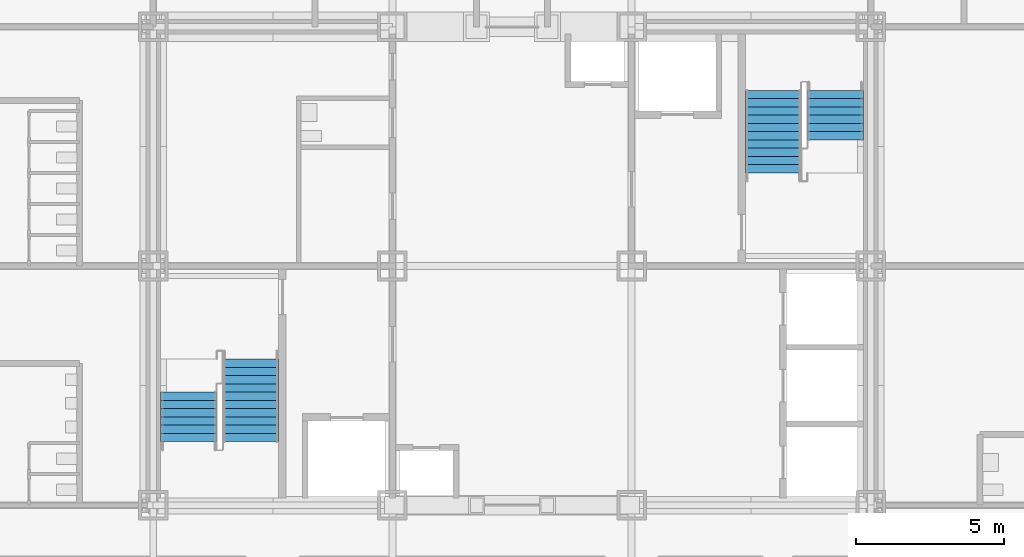
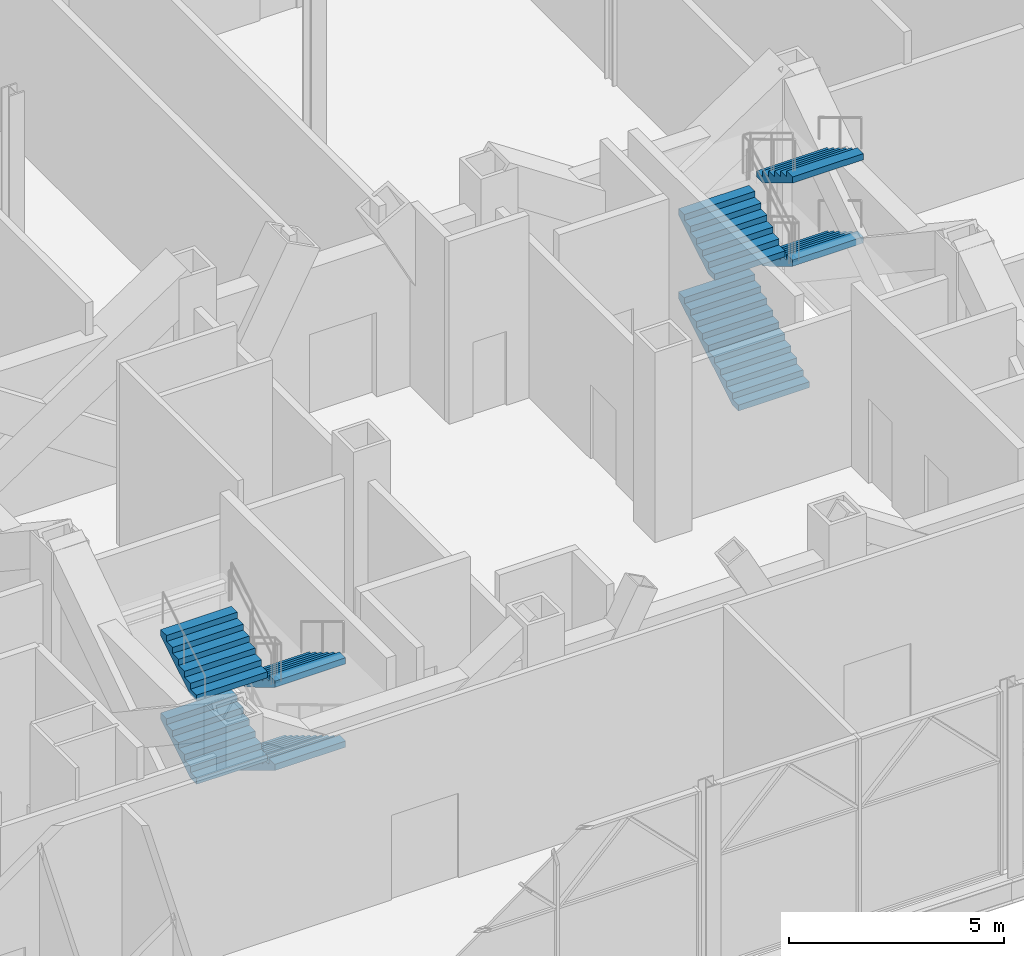
# One storey, part 24 of 26: 8 stair flights, 2 elements without a shape of their own.
"""IFC4 building model written with IfcOpenShell, lengths in metres."""

from ifc_helpers import new_model, si_unit, direction, frame, origin, place, context, subcontext, project, spatial, polygons, source, transform, mapped, material, type_object, element, aggregate, save


model = new_model("IFC4")

# Units and contexts
model_context = context("Model", 3, precision=1e-05, world=origin(), true_north=direction((0.0, 1.0)))
body_context = subcontext(model_context, "Body", "Model", "MODEL_VIEW")
ifc_project = project(units=[si_unit("LENGTHUNIT", "METRE"), si_unit("AREAUNIT", "SQUARE_METRE"), si_unit("VOLUMEUNIT", "CUBIC_METRE"), si_unit("PLANEANGLEUNIT", "RADIAN"), si_unit("MASSUNIT", "GRAM", prefix="KILO")], contexts=[model_context])

# Site, building, storey
site_placement = place(None, origin())
site = spatial("IfcSite", under=ifc_project, at=site_placement, CompositionType="ELEMENT")
building_placement = place(site_placement, origin())
building = spatial("IfcBuilding", under=site, at=building_placement, Name="Kopane Lantern Tower", CompositionType="ELEMENT")
storey_placement = place(building_placement, frame((0.0, 0.0, 293.10009765625)))
storey = spatial("IfcBuildingStorey", under=building, at=storey_placement, Name="L75", CompositionType="ELEMENT", Elevation=293.10009765625)

# Stair, stair flights
ifc_material_1 = material(Name="Steel S355JR", Category="steel")
stair_type = type_object("IfcStairType", Name="EXIT STAIR 1900 HALF TURN", PredefinedType="HALF_TURN_STAIR", material=ifc_material_1)
stair_1_placement = place(storey_placement, origin())
stair_1 = element("IfcStair", 1, at=stair_1_placement, inside=storey, type_object=stair_type, Name="Exit stair ST1 L75", PredefinedType="HALF_TURN_STAIR")
ifc_material_2 = material(Name="Steel S355JR", Category="steel")
stair_flight_type = type_object("IfcStairFlightType", Name="STAIR FLIGHT 1900 STEEL", PredefinedType="STRAIGHT", material=ifc_material_2)
shared_shape_1 = source(origin(), body_context, "Body", "Tessellation", [
    polygons([(1.679931641, 0.949951172, 1.012451172), (1.399902344, 0.949951172, 1.012451172), (1.399902344, -0.949951172, 1.012451172), (1.679931641, -0.949951172, 1.012451172), (0.290527344, 0.949951172, 0.0), (1.679931641, 0.949951172, 0.837402344), (1.679931641, -0.949951172, 0.837402344), (0.290527344, -0.949951172, 0.0), (0.0, 0.949951172, 0.0), (0.0, -0.949951172, 0.0), (0.280029297, 0.949951172, 0.168701172), (0.0, 0.949951172, 0.168701172), (0.0, -0.949951172, 0.168701172), (0.280029297, -0.949951172, 0.168701172), (0.280029297, 0.949951172, 0.337402344), (0.280029297, -0.949951172, 0.337402344), (0.560058594, 0.949951172, 0.337402344), (0.560058594, -0.949951172, 0.337402344), (0.560058594, 0.949951172, 0.506347656), (0.560058594, -0.949951172, 0.506347656), (0.840087891, 0.949951172, 0.506347656), (0.840087891, -0.949951172, 0.506347656), (0.840087891, 0.949951172, 0.675048828), (0.840087891, -0.949951172, 0.675048828), (1.120117188, 0.949951172, 0.675048828), (1.120117188, -0.949951172, 0.675048828), (1.120117188, 0.949951172, 0.84375), (1.120117188, -0.949951172, 0.84375), (1.399902344, 0.949951172, 0.84375), (1.399902344, -0.949951172, 0.84375), (0.0, 0.0, 0.004559491), (0.0, 0.0, 0.009118982), (0.0, 0.0, 0.013678473), (0.0, 0.0, 0.018237965), (0.0, 0.0, 0.022797456), (0.0, 0.0, 0.027356947), (0.0, 0.0, 0.031916438), (0.0, 0.0, 0.036475929), (0.0, 0.0, 0.04103542), (0.0, 0.0, 0.045594911), (0.0, 0.0, 0.050154402), (0.0, 0.0, 0.054713894), (0.0, 0.0, 0.059273385), (0.0, 0.0, 0.063832876), (0.0, 0.0, 0.068392367), (0.0, 0.0, 0.072951858), (0.0, 0.0, 0.077511349), (0.0, 0.0, 0.08207084), (0.0, 0.0, 0.086630332), (0.0, 0.0, 0.091189823), (0.0, 0.0, 0.095749314), (0.0, 0.0, 0.100308805), (0.0, 0.0, 0.104868296), (0.0, 0.0, 0.109427787), (0.0, 0.0, 0.113987278), (0.0, 0.0, 0.118546769), (0.0, 0.0, 0.123106261), (0.0, 0.0, 0.127665752), (0.0, 0.0, 0.132225243), (0.0, 0.0, 0.136784734), (0.0, 0.0, 0.141344225), (0.0, 0.0, 0.145903716), (0.0, 0.0, 0.150463207), (0.0, 0.0, 0.155022698), (0.0, 0.0, 0.15958219), (0.0, 0.0, 0.164141681), (1.679931641, 0.0, 0.842133393), (1.679931641, 0.0, 0.846864443), (1.679931641, 0.0, 0.851595492), (1.679931641, 0.0, 0.856326541), (1.679931641, 0.0, 0.861057591), (1.679931641, 0.0, 0.86578864), (1.679931641, 0.0, 0.87051969), (1.679931641, 0.0, 0.875250739), (1.679931641, 0.0, 0.879981788), (1.679931641, 0.0, 0.884712838), (1.679931641, 0.0, 0.889443887), (1.679931641, 0.0, 0.894174937), (1.679931641, 0.0, 0.898905986), (1.679931641, 0.0, 0.903637035), (1.679931641, 0.0, 0.908368085), (1.679931641, 0.0, 0.913099134), (1.679931641, 0.0, 0.917830184), (1.679931641, 0.0, 0.922561233), (1.679931641, 0.0, 0.927292283), (1.679931641, 0.0, 0.932023332), (1.679931641, 0.0, 0.936754381), (1.679931641, 0.0, 0.941485431), (1.679931641, 0.0, 0.94621648), (1.679931641, 0.0, 0.95094753), (1.679931641, 0.0, 0.955678579), (1.679931641, 0.0, 0.960409628), (1.679931641, 0.0, 0.965140678), (1.679931641, 0.0, 0.969871727), (1.679931641, 0.0, 0.974602777), (1.679931641, 0.0, 0.979333826), (1.679931641, 0.0, 0.984064875), (1.679931641, 0.0, 0.988795925), (1.679931641, 0.0, 0.993526974), (1.679931641, 0.0, 0.998258024), (1.679931641, 0.0, 1.002989073), (1.679931641, 0.0, 1.007720122)], [[[1, 2, 3]], [[1, 3, 4]], [[5, 6, 7]], [[5, 7, 8]], [[9, 5, 8]], [[9, 8, 10]], [[11, 12, 13]], [[11, 13, 14]], [[15, 11, 14]], [[15, 14, 16]], [[17, 15, 16]], [[17, 16, 18]], [[19, 17, 18]], [[19, 18, 20]], [[21, 19, 20]], [[21, 20, 22]], [[23, 21, 22]], [[23, 22, 24]], [[25, 23, 24]], [[25, 24, 26]], [[27, 25, 26]], [[27, 26, 28]], [[29, 27, 28]], [[29, 28, 30]], [[2, 29, 30]], [[2, 30, 3]], [[29, 1, 6]], [[25, 29, 6]], [[2, 1, 29]], [[21, 25, 6]], [[5, 21, 6]], [[27, 29, 25]], [[17, 21, 5]], [[23, 25, 21]], [[11, 17, 5]], [[19, 21, 17]], [[9, 11, 5]], [[15, 17, 11]], [[12, 11, 9]], [[7, 4, 30]], [[7, 30, 26]], [[30, 4, 3]], [[7, 26, 22]], [[7, 22, 8]], [[26, 30, 28]], [[8, 22, 18]], [[22, 26, 24]], [[8, 18, 14]], [[18, 22, 20]], [[8, 14, 10]], [[14, 18, 16]], [[10, 14, 13]], [[10, 31, 9]], [[10, 32, 31]], [[9, 31, 32]], [[10, 33, 32]], [[9, 32, 33]], [[10, 34, 33]], [[9, 33, 34]], [[10, 35, 34]], [[9, 34, 35]], [[10, 36, 35]], [[9, 35, 36]], [[10, 37, 36]], [[9, 36, 37]], [[10, 38, 37]], [[9, 37, 38]], [[10, 39, 38]], [[9, 38, 39]], [[10, 40, 39]], [[9, 39, 40]], [[10, 41, 40]], [[9, 40, 41]], [[10, 42, 41]], [[9, 41, 42]], [[10, 43, 42]], [[9, 42, 43]], [[10, 44, 43]], [[9, 43, 44]], [[10, 45, 44]], [[9, 44, 45]], [[10, 46, 45]], [[9, 45, 46]], [[10, 47, 46]], [[9, 46, 47]], [[10, 48, 47]], [[9, 47, 48]], [[10, 49, 48]], [[9, 48, 49]], [[10, 50, 49]], [[9, 49, 50]], [[10, 51, 50]], [[9, 50, 51]], [[10, 52, 51]], [[9, 51, 52]], [[10, 53, 52]], [[9, 52, 53]], [[10, 54, 53]], [[9, 53, 54]], [[10, 55, 54]], [[9, 54, 55]], [[10, 56, 55]], [[9, 55, 56]], [[10, 57, 56]], [[9, 56, 57]], [[10, 58, 57]], [[9, 57, 58]], [[10, 59, 58]], [[9, 58, 59]], [[10, 60, 59]], [[9, 59, 60]], [[10, 61, 60]], [[9, 60, 61]], [[10, 62, 61]], [[9, 61, 62]], [[10, 63, 62]], [[9, 62, 63]], [[10, 64, 63]], [[9, 63, 64]], [[10, 65, 64]], [[9, 64, 65]], [[10, 66, 65]], [[9, 65, 66]], [[10, 13, 66]], [[66, 13, 12]], [[9, 66, 12]], [[7, 6, 67]], [[7, 67, 68]], [[6, 68, 67]], [[7, 68, 69]], [[6, 69, 68]], [[7, 69, 70]], [[6, 70, 69]], [[7, 70, 71]], [[6, 71, 70]], [[7, 71, 72]], [[6, 72, 71]], [[7, 72, 73]], [[6, 73, 72]], [[7, 73, 74]], [[6, 74, 73]], [[7, 74, 75]], [[6, 75, 74]], [[7, 75, 76]], [[6, 76, 75]], [[7, 76, 77]], [[6, 77, 76]], [[7, 77, 78]], [[6, 78, 77]], [[7, 78, 79]], [[6, 79, 78]], [[7, 79, 80]], [[6, 80, 79]], [[7, 80, 81]], [[6, 81, 80]], [[7, 81, 82]], [[6, 82, 81]], [[7, 82, 83]], [[6, 83, 82]], [[7, 83, 84]], [[6, 84, 83]], [[7, 84, 85]], [[6, 85, 84]], [[7, 85, 86]], [[6, 86, 85]], [[7, 86, 87]], [[6, 87, 86]], [[7, 87, 88]], [[6, 88, 87]], [[7, 88, 89]], [[6, 89, 88]], [[7, 89, 90]], [[6, 90, 89]], [[7, 90, 91]], [[6, 91, 90]], [[7, 91, 92]], [[6, 92, 91]], [[7, 92, 93]], [[6, 93, 92]], [[7, 93, 94]], [[6, 94, 93]], [[7, 94, 95]], [[6, 95, 94]], [[7, 95, 96]], [[6, 96, 95]], [[7, 96, 97]], [[6, 97, 96]], [[7, 97, 98]], [[6, 98, 97]], [[7, 98, 99]], [[6, 99, 98]], [[7, 99, 100]], [[6, 100, 99]], [[7, 100, 101]], [[6, 101, 100]], [[7, 101, 102]], [[6, 102, 101]], [[7, 102, 4]], [[102, 1, 4]], [[6, 1, 102]]], closed=True),
])
stair_flight_1_placement = place(storey_placement, frame((17.39990234375, 26.449951171875, 1.856201171875), z_axis=(0.0, 0.0, 1.0), x_axis=(0.0, 1.0, 0.0)))
stair_flight_1 = element("IfcStairFlight", 2, at=stair_flight_1_placement, type_object=stair_flight_type, Name="ST1 flight 2", NumberOfRisers=7, NumberOfTreads=6, PredefinedType="STRAIGHT", RiserHeight=0.16875, TreadLength=0.28, context=body_context, shape_type="MappedRepresentation", body=[
    mapped(shared_shape_1, transform((0.0, 0.0, 0.0))),
])
stair_flight_2_placement = place(storey_placement, frame((19.5, 28.1298828125, 3.037353515625), z_axis=(0.0, 0.0, 1.0), x_axis=(0.0, -1.0, 0.0)))
stair_flight_2 = element("IfcStairFlight", 3, at=stair_flight_2_placement, type_object=stair_flight_type, Name="ST1 flight 3", NumberOfRisers=7, NumberOfTreads=6, PredefinedType="STRAIGHT", RiserHeight=0.16875, TreadLength=0.28, context=body_context, shape_type="MappedRepresentation", body=[
    mapped(shared_shape_1, transform((0.0, 0.0, 0.0))),
])
stair_flight_3_placement = place(storey_placement, frame((17.39990234375, 26.449951171875, 4.218505859375), z_axis=(0.0, 0.0, 1.0), x_axis=(0.0, 1.0, 0.0)))
stair_flight_3 = element("IfcStairFlight", 4, at=stair_flight_3_placement, type_object=stair_flight_type, Name="ST1 flight 4", NumberOfRisers=7, NumberOfTreads=6, PredefinedType="STRAIGHT", RiserHeight=0.16875, TreadLength=0.28, context=body_context, shape_type="MappedRepresentation", body=[
    mapped(shared_shape_1, transform((0.0, 0.0, 0.0))),
])

stair_2_placement = place(storey_placement, origin())
stair_2 = element("IfcStair", 5, at=stair_2_placement, inside=storey, type_object=stair_type, Name="Exit stair ST2 L75", PredefinedType="HALF_TURN_STAIR")
stair_flight_4_placement = place(storey_placement, frame((39.300048828125, 38.35009765625, 1.856201171875), z_axis=(0.0, 0.0, 1.0), x_axis=(0.0, -1.0, 0.0)))
stair_flight_4 = element("IfcStairFlight", 6, at=stair_flight_4_placement, type_object=stair_flight_type, Name="ST2 flight 2", NumberOfRisers=7, NumberOfTreads=6, PredefinedType="STRAIGHT", RiserHeight=0.16875, TreadLength=0.28, context=body_context, shape_type="MappedRepresentation", body=[
    mapped(shared_shape_1, transform((0.0, 0.0, 0.0))),
])
stair_flight_5_placement = place(storey_placement, frame((37.199951171875, 36.669921875, 3.037353515625), z_axis=(0.0, 0.0, 1.0), x_axis=(0.0, 1.0, 0.0)))
stair_flight_5 = element("IfcStairFlight", 7, at=stair_flight_5_placement, type_object=stair_flight_type, Name="ST2 flight 3", NumberOfRisers=7, NumberOfTreads=6, PredefinedType="STRAIGHT", RiserHeight=0.16875, TreadLength=0.28, context=body_context, shape_type="MappedRepresentation", body=[
    mapped(shared_shape_1, transform((0.0, 0.0, 0.0))),
])
stair_flight_6_placement = place(storey_placement, frame((39.300048828125, 38.35009765625, 4.218505859375), z_axis=(0.0, 0.0, 1.0), x_axis=(0.0, -1.0, 0.0)))
stair_flight_6 = element("IfcStairFlight", 8, at=stair_flight_6_placement, type_object=stair_flight_type, Name="ST2 flight 4", NumberOfRisers=7, NumberOfTreads=6, PredefinedType="STRAIGHT", RiserHeight=0.16875, TreadLength=0.28, context=body_context, shape_type="MappedRepresentation", body=[
    mapped(shared_shape_1, transform((0.0, 0.0, 0.0))),
])

# Stair flight
shared_shape_2 = source(origin(), body_context, "Body", "Tessellation", [
    polygons([(2.800048828, 0.949951172, 1.6875), (2.520019531, 0.949951172, 1.6875), (2.520019531, -0.949951172, 1.6875), (2.800048828, -0.949951172, 1.6875), (0.290527344, 0.949951172, 0.0), (2.800048828, 0.949951172, 1.512451172), (2.800048828, -0.949951172, 1.512451172), (0.290527344, -0.949951172, 0.0), (0.0, 0.949951172, 0.0), (0.0, -0.949951172, 0.0), (0.280029297, 0.949951172, 0.168701172), (0.0, 0.949951172, 0.168701172), (0.0, -0.949951172, 0.168701172), (0.280029297, -0.949951172, 0.168701172), (0.280029297, 0.949951172, 0.337402344), (0.280029297, -0.949951172, 0.337402344), (0.560058594, 0.949951172, 0.337402344), (0.560058594, -0.949951172, 0.337402344), (0.560058594, 0.949951172, 0.506347656), (0.560058594, -0.949951172, 0.506347656), (0.840087891, 0.949951172, 0.506347656), (0.840087891, -0.949951172, 0.506347656), (0.840087891, 0.949951172, 0.675048828), (0.840087891, -0.949951172, 0.675048828), (1.120117188, 0.949951172, 0.675048828), (1.120117188, -0.949951172, 0.675048828), (1.120117188, 0.949951172, 0.84375), (1.120117188, -0.949951172, 0.84375), (1.399902344, 0.949951172, 0.84375), (1.399902344, -0.949951172, 0.84375), (1.399902344, 0.949951172, 1.012451172), (1.399902344, -0.949951172, 1.012451172), (1.679931641, 0.949951172, 1.012451172), (1.679931641, -0.949951172, 1.012451172), (1.679931641, 0.949951172, 1.181152344), (1.679931641, -0.949951172, 1.181152344), (1.959960938, 0.949951172, 1.181152344), (1.959960938, -0.949951172, 1.181152344), (1.959960938, 0.949951172, 1.350097656), (1.959960938, -0.949951172, 1.350097656), (2.239990234, 0.949951172, 1.350097656), (2.239990234, -0.949951172, 1.350097656), (2.239990234, 0.949951172, 1.518798828), (2.239990234, -0.949951172, 1.518798828), (2.520019531, 0.949951172, 1.518798828), (2.520019531, -0.949951172, 1.518798828), (0.0, 0.0, 0.004559491), (0.0, 0.0, 0.009118982), (0.0, 0.0, 0.013678473), (0.0, 0.0, 0.018237965), (0.0, 0.0, 0.022797456), (0.0, 0.0, 0.027356947), (0.0, 0.0, 0.031916438), (0.0, 0.0, 0.036475929), (0.0, 0.0, 0.04103542), (0.0, 0.0, 0.045594911), (0.0, 0.0, 0.050154402), (0.0, 0.0, 0.054713894), (0.0, 0.0, 0.059273385), (0.0, 0.0, 0.063832876), (0.0, 0.0, 0.068392367), (0.0, 0.0, 0.072951858), (0.0, 0.0, 0.077511349), (0.0, 0.0, 0.08207084), (0.0, 0.0, 0.086630332), (0.0, 0.0, 0.091189823), (0.0, 0.0, 0.095749314), (0.0, 0.0, 0.100308805), (0.0, 0.0, 0.104868296), (0.0, 0.0, 0.109427787), (0.0, 0.0, 0.113987278), (0.0, 0.0, 0.118546769), (0.0, 0.0, 0.123106261), (0.0, 0.0, 0.127665752), (0.0, 0.0, 0.132225243), (0.0, 0.0, 0.136784734), (0.0, 0.0, 0.141344225), (0.0, 0.0, 0.145903716), (0.0, 0.0, 0.150463207), (0.0, 0.0, 0.155022698), (0.0, 0.0, 0.15958219), (0.0, 0.0, 0.164141681), (2.800048828, 0.0, 1.517182221), (2.800048828, 0.0, 1.521913271), (2.800048828, 0.0, 1.52664432), (2.800048828, 0.0, 1.53137537), (2.800048828, 0.0, 1.536106419), (2.800048828, 0.0, 1.540837468), (2.800048828, 0.0, 1.545568518), (2.800048828, 0.0, 1.550299567), (2.800048828, 0.0, 1.555030617), (2.800048828, 0.0, 1.559761666), (2.800048828, 0.0, 1.564492715), (2.800048828, 0.0, 1.569223765), (2.800048828, 0.0, 1.573954814), (2.800048828, 0.0, 1.578685864), (2.800048828, 0.0, 1.583416913), (2.800048828, 0.0, 1.588147962), (2.800048828, 0.0, 1.592879012), (2.800048828, 0.0, 1.597610061), (2.800048828, 0.0, 1.602341111), (2.800048828, 0.0, 1.60707216), (2.800048828, 0.0, 1.611803209), (2.800048828, 0.0, 1.616534259), (2.800048828, 0.0, 1.621265308), (2.800048828, 0.0, 1.625996358), (2.800048828, 0.0, 1.630727407), (2.800048828, 0.0, 1.635458457), (2.800048828, 0.0, 1.640189506), (2.800048828, 0.0, 1.644920555), (2.800048828, 0.0, 1.649651605), (2.800048828, 0.0, 1.654382654), (2.800048828, 0.0, 1.659113704), (2.800048828, 0.0, 1.663844753), (2.800048828, 0.0, 1.668575802), (2.800048828, 0.0, 1.673306852), (2.800048828, 0.0, 1.678037901), (2.800048828, 0.0, 1.682768951)], [[[1, 2, 3]], [[1, 3, 4]], [[5, 6, 7]], [[5, 7, 8]], [[9, 5, 8]], [[9, 8, 10]], [[11, 12, 13]], [[11, 13, 14]], [[15, 11, 14]], [[15, 14, 16]], [[17, 15, 16]], [[17, 16, 18]], [[19, 17, 18]], [[19, 18, 20]], [[21, 19, 20]], [[21, 20, 22]], [[23, 21, 22]], [[23, 22, 24]], [[25, 23, 24]], [[25, 24, 26]], [[27, 25, 26]], [[27, 26, 28]], [[29, 27, 28]], [[29, 28, 30]], [[31, 29, 30]], [[31, 30, 32]], [[33, 31, 32]], [[33, 32, 34]], [[35, 33, 34]], [[35, 34, 36]], [[37, 35, 36]], [[37, 36, 38]], [[39, 37, 38]], [[39, 38, 40]], [[41, 39, 40]], [[41, 40, 42]], [[43, 41, 42]], [[43, 42, 44]], [[45, 43, 44]], [[45, 44, 46]], [[2, 45, 46]], [[2, 46, 3]], [[45, 1, 6]], [[41, 45, 6]], [[2, 1, 45]], [[37, 41, 6]], [[43, 45, 41]], [[39, 41, 37]], [[35, 37, 33]], [[31, 33, 29]], [[5, 21, 25]], [[27, 29, 25]], [[17, 21, 5]], [[23, 25, 21]], [[11, 17, 5]], [[19, 21, 17]], [[9, 11, 5]], [[15, 17, 11]], [[12, 11, 9]], [[6, 5, 37]], [[37, 5, 33]], [[33, 5, 29]], [[29, 5, 25]], [[7, 4, 46]], [[7, 46, 42]], [[46, 4, 3]], [[7, 42, 38]], [[42, 46, 44]], [[38, 42, 40]], [[34, 38, 36]], [[30, 34, 32]], [[26, 22, 8]], [[26, 30, 28]], [[8, 22, 18]], [[22, 26, 24]], [[8, 18, 14]], [[18, 22, 20]], [[8, 14, 10]], [[14, 18, 16]], [[10, 14, 13]], [[38, 8, 7]], [[34, 8, 38]], [[30, 8, 34]], [[26, 8, 30]], [[10, 47, 9]], [[10, 48, 47]], [[9, 47, 48]], [[10, 49, 48]], [[9, 48, 49]], [[10, 50, 49]], [[9, 49, 50]], [[10, 51, 50]], [[9, 50, 51]], [[10, 52, 51]], [[9, 51, 52]], [[10, 53, 52]], [[9, 52, 53]], [[10, 54, 53]], [[9, 53, 54]], [[10, 55, 54]], [[9, 54, 55]], [[10, 56, 55]], [[9, 55, 56]], [[10, 57, 56]], [[9, 56, 57]], [[10, 58, 57]], [[9, 57, 58]], [[10, 59, 58]], [[9, 58, 59]], [[10, 60, 59]], [[9, 59, 60]], [[10, 61, 60]], [[9, 60, 61]], [[10, 62, 61]], [[9, 61, 62]], [[10, 63, 62]], [[9, 62, 63]], [[10, 64, 63]], [[9, 63, 64]], [[10, 65, 64]], [[9, 64, 65]], [[10, 66, 65]], [[9, 65, 66]], [[10, 67, 66]], [[9, 66, 67]], [[10, 68, 67]], [[9, 67, 68]], [[10, 69, 68]], [[9, 68, 69]], [[10, 70, 69]], [[9, 69, 70]], [[10, 71, 70]], [[9, 70, 71]], [[10, 72, 71]], [[9, 71, 72]], [[10, 73, 72]], [[9, 72, 73]], [[10, 74, 73]], [[9, 73, 74]], [[10, 75, 74]], [[9, 74, 75]], [[10, 76, 75]], [[9, 75, 76]], [[10, 77, 76]], [[9, 76, 77]], [[10, 78, 77]], [[9, 77, 78]], [[10, 79, 78]], [[9, 78, 79]], [[10, 80, 79]], [[9, 79, 80]], [[10, 81, 80]], [[9, 80, 81]], [[10, 82, 81]], [[9, 81, 82]], [[10, 13, 82]], [[82, 13, 12]], [[9, 82, 12]], [[7, 6, 83]], [[7, 83, 84]], [[6, 84, 83]], [[7, 84, 85]], [[6, 85, 84]], [[7, 85, 86]], [[6, 86, 85]], [[7, 86, 87]], [[6, 87, 86]], [[7, 87, 88]], [[6, 88, 87]], [[7, 88, 89]], [[6, 89, 88]], [[7, 89, 90]], [[6, 90, 89]], [[7, 90, 91]], [[6, 91, 90]], [[7, 91, 92]], [[6, 92, 91]], [[7, 92, 93]], [[6, 93, 92]], [[7, 93, 94]], [[6, 94, 93]], [[7, 94, 95]], [[6, 95, 94]], [[7, 95, 96]], [[6, 96, 95]], [[7, 96, 97]], [[6, 97, 96]], [[7, 97, 98]], [[6, 98, 97]], [[7, 98, 99]], [[6, 99, 98]], [[7, 99, 100]], [[6, 100, 99]], [[7, 100, 101]], [[6, 101, 100]], [[7, 101, 102]], [[6, 102, 101]], [[7, 102, 103]], [[6, 103, 102]], [[7, 103, 104]], [[6, 104, 103]], [[7, 104, 105]], [[6, 105, 104]], [[7, 105, 106]], [[6, 106, 105]], [[7, 106, 107]], [[6, 107, 106]], [[7, 107, 108]], [[6, 108, 107]], [[7, 108, 109]], [[6, 109, 108]], [[7, 109, 110]], [[6, 110, 109]], [[7, 110, 111]], [[6, 111, 110]], [[7, 111, 112]], [[6, 112, 111]], [[7, 112, 113]], [[6, 113, 112]], [[7, 113, 114]], [[6, 114, 113]], [[7, 114, 115]], [[6, 115, 114]], [[7, 115, 116]], [[6, 116, 115]], [[7, 116, 117]], [[6, 117, 116]], [[7, 117, 118]], [[6, 118, 117]], [[7, 118, 4]], [[118, 1, 4]], [[6, 1, 118]]], closed=True),
])
stair_flight_7_placement = place(storey_placement, frame((19.5, 29.25, 0.0), z_axis=(0.0, 0.0, 1.0), x_axis=(0.0, -1.0, 0.0)))
stair_flight_7 = element("IfcStairFlight", 9, at=stair_flight_7_placement, type_object=stair_flight_type, Name="ST1 flight 1", NumberOfRisers=11, NumberOfTreads=10, PredefinedType="STRAIGHT", RiserHeight=0.16875, TreadLength=0.28, context=body_context, shape_type="MappedRepresentation", body=[
    mapped(shared_shape_2, transform((0.0, 0.0, 0.0))),
])

aggregate(stair_1, [stair_flight_7, stair_flight_1, stair_flight_2, stair_flight_3])

stair_flight_8_placement = place(storey_placement, frame((37.199951171875, 35.550048828125, 0.0), z_axis=(0.0, 0.0, 1.0), x_axis=(0.0, 1.0, 0.0)))
stair_flight_8 = element("IfcStairFlight", 10, at=stair_flight_8_placement, type_object=stair_flight_type, Name="ST2 flight 1", NumberOfRisers=11, NumberOfTreads=10, PredefinedType="STRAIGHT", RiserHeight=0.16875, TreadLength=0.28, context=body_context, shape_type="MappedRepresentation", body=[
    mapped(shared_shape_2, transform((0.0, 0.0, 0.0))),
])

aggregate(stair_2, [stair_flight_8, stair_flight_4, stair_flight_5, stair_flight_6])

save(model, "model.ifc")
